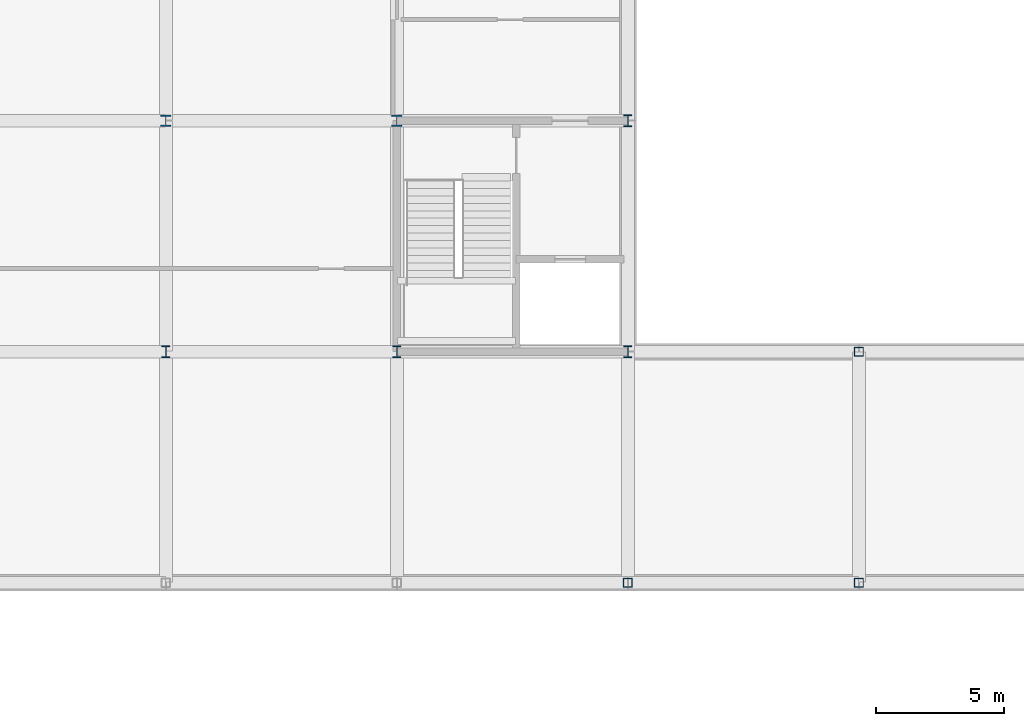
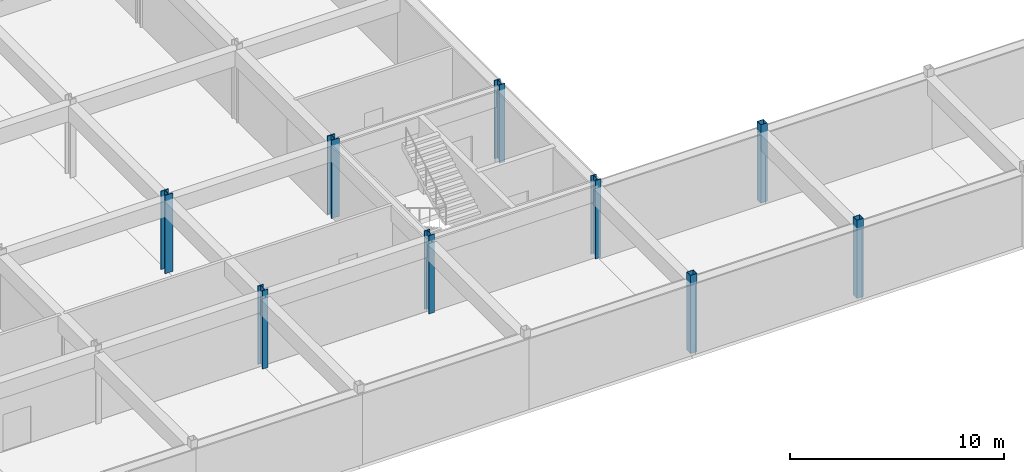
# One storey, part 7 of 35: 9 columns.
"""IFC4 building model written with IfcOpenShell, lengths in metres."""

from ifc_helpers import new_model, si_unit, direction, frame, origin, origin_2d, place, context, subcontext, project, spatial, hollow_rectangle, i_section, extrude, material, material_profile, profile_set, type_object, element, save


model = new_model("IFC4")

# Units and contexts
model_context = context("Model", 3, precision=1e-05, world=origin(), true_north=direction((0.0, 1.0)))
body_context = subcontext(model_context, "Body", "Model", "MODEL_VIEW")
ifc_project = project(units=[si_unit("LENGTHUNIT", "METRE"), si_unit("AREAUNIT", "SQUARE_METRE"), si_unit("VOLUMEUNIT", "CUBIC_METRE"), si_unit("PLANEANGLEUNIT", "RADIAN"), si_unit("MASSUNIT", "GRAM", prefix="KILO")], contexts=[model_context])

# Site, building, storey
site_placement = place(None, origin())
site = spatial("IfcSite", under=ifc_project, at=site_placement, CompositionType="ELEMENT")
building_placement = place(site_placement, origin())
building = spatial("IfcBuilding", under=site, at=building_placement, Name="Palais des Congres Ocreval", CompositionType="ELEMENT")
storey_placement = place(building_placement, frame((0.0, 0.0, -4.47998046875)))
storey = spatial("IfcBuildingStorey", under=building, at=storey_placement, Name="B1", CompositionType="ELEMENT", Elevation=-4.47998046875)

# Columns
ifc_material_1 = material(Name="Steel S460", Category="steel")
ifc_material_profile_1 = material_profile(ifc_material_1, i_section(OverallWidth=0.412109375, OverallDepth=0.43505859375, WebThickness=0.027099609375, FlangeThickness=0.0458984375, at=origin_2d()), Name="HD 400x463")
ifc_profile_set_1 = profile_set([ifc_material_profile_1], Name="Steel S460")
column_type_1 = type_object("IfcColumnType", Name="Column HD 400x463 Steel S460", PredefinedType="COLUMN", material=ifc_profile_set_1)
for number, where, z_axis, x_axis, name in (
    (1, (36.0, 90.0, 0.0), (0.0, 0.0, 1.0), (1.0, 0.0, 0.0), "Column C02 B1"),
    (2, (45.0, 90.0, 0.0), (0.0, 0.0, 1.0), (1.0, 0.0, 0.0), "Column C02 B1"),
):
    element("IfcColumn", number, at=place(storey_placement, frame(where, z_axis=z_axis, x_axis=x_axis)), inside=storey, type_object=column_type_1, Name=name, PredefinedType="COLUMN", context=body_context, shape_type="SweptSolid", body=[
        extrude(i_section(OverallWidth=0.412109375, OverallDepth=0.43505859375, WebThickness=0.027099609375, FlangeThickness=0.0458984375, at=origin_2d()), origin(), (0.0, 0.0, 1.0), 4.47998046875),
    ])
ifc_material_2 = material(Name="Steel S355", Category="steel")
ifc_material_profile_2 = material_profile(ifc_material_2, i_section(OverallWidth=0.306884765625, OverallDepth=0.47802734375, WebThickness=0.02099609375, FlangeThickness=0.0400390625, at=origin_2d()), Name="HEM 450")
ifc_profile_set_2 = profile_set([ifc_material_profile_2], Name="Steel S355")
column_type_2 = type_object("IfcColumnType", Name="Column HEM 450 Steel S355", PredefinedType="COLUMN", material=ifc_profile_set_2)
for number, where, z_axis, x_axis, name in (
    (3, (36.0, 81.0, 0.0), (0.0, 0.0, 1.0), (1.0, 0.0, 0.0), "Column C06 B1"),
    (4, (45.0, 81.0, 0.0), (0.0, 0.0, 1.0), (1.0, 0.0, 0.0), "Column C06 B1"),
    (5, (54.0, 81.0, 0.0), (0.0, 0.0, 1.0), (1.0, 0.0, 0.0), "Column C06 B1"),
    (6, (54.0, 90.0, 0.0), (0.0, 0.0, 1.0), (1.0, 0.0, 0.0), "Column C06 B1"),
):
    element("IfcColumn", number, at=place(storey_placement, frame(where, z_axis=z_axis, x_axis=x_axis)), inside=storey, type_object=column_type_2, Name=name, PredefinedType="COLUMN", context=body_context, shape_type="SweptSolid", body=[
        extrude(i_section(OverallWidth=0.306884765625, OverallDepth=0.47802734375, WebThickness=0.02099609375, FlangeThickness=0.0400390625, at=origin_2d()), origin(), (0.0, 0.0, 1.0), 4.47998046875),
    ])
ifc_material_profile_3 = material_profile(ifc_material_2, hollow_rectangle(XDim=0.35009765625, YDim=0.35009765625, WallThickness=0.01611328125, at=origin_2d()), Name="RHS 350x350x16")
ifc_profile_set_3 = profile_set([ifc_material_profile_3], Name="Steel S355")
column_type_3 = type_object("IfcColumnType", Name="Column RHS 350x350x16 Steel S355", PredefinedType="COLUMN", material=ifc_profile_set_3)
for number, where, z_axis, x_axis, name in (
    (7, (54.0, 72.0, 0.0), (0.0, 0.0, 1.0), (1.0, 0.0, 0.0), "Column C18 B1"),
    (8, (63.0, 72.0, 0.0), (0.0, 0.0, 1.0), (1.0, 0.0, 0.0), "Column C18 B1"),
    (9, (63.0, 81.0, 0.0), (0.0, 0.0, 1.0), (1.0, 0.0, 0.0), "Column C18 B1"),
):
    element("IfcColumn", number, at=place(storey_placement, frame(where, z_axis=z_axis, x_axis=x_axis)), inside=storey, type_object=column_type_3, Name=name, PredefinedType="COLUMN", context=body_context, shape_type="SweptSolid", body=[
        extrude(hollow_rectangle(XDim=0.35009765625, YDim=0.35009765625, WallThickness=0.01611328125, at=origin_2d()), origin(), (0.0, 0.0, 1.0), 4.47998046875),
    ])

save(model, "model.ifc")
